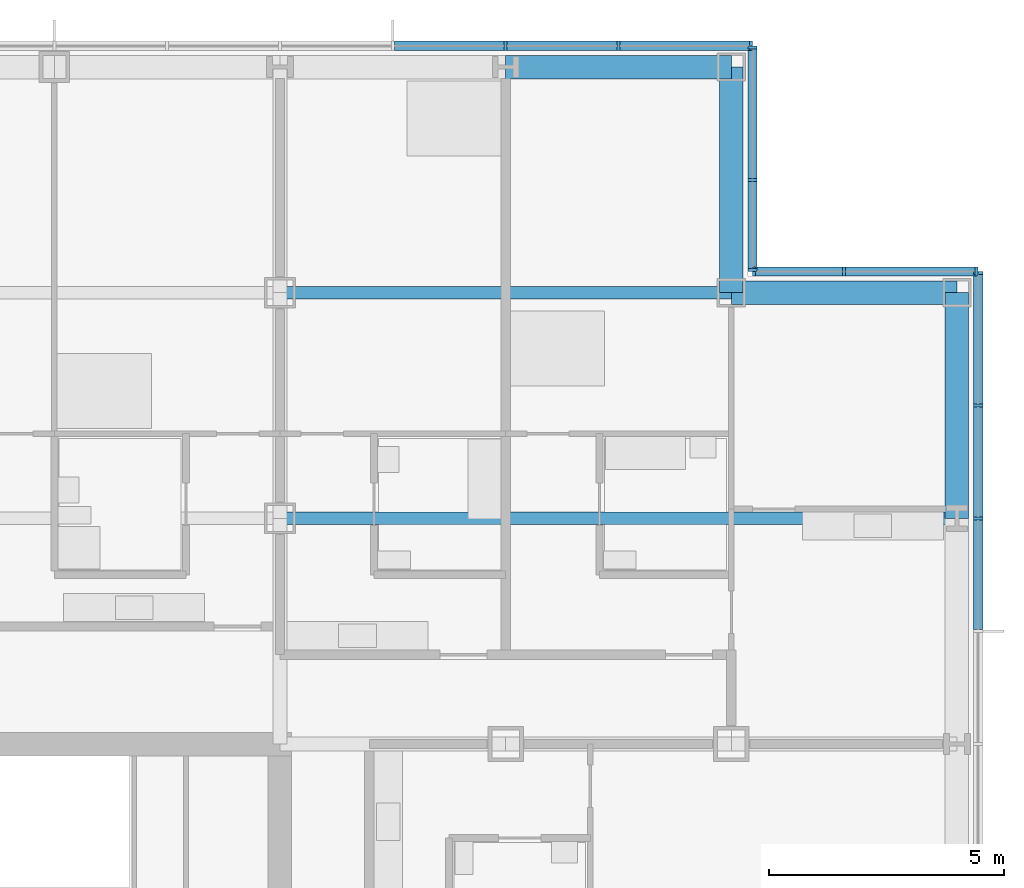
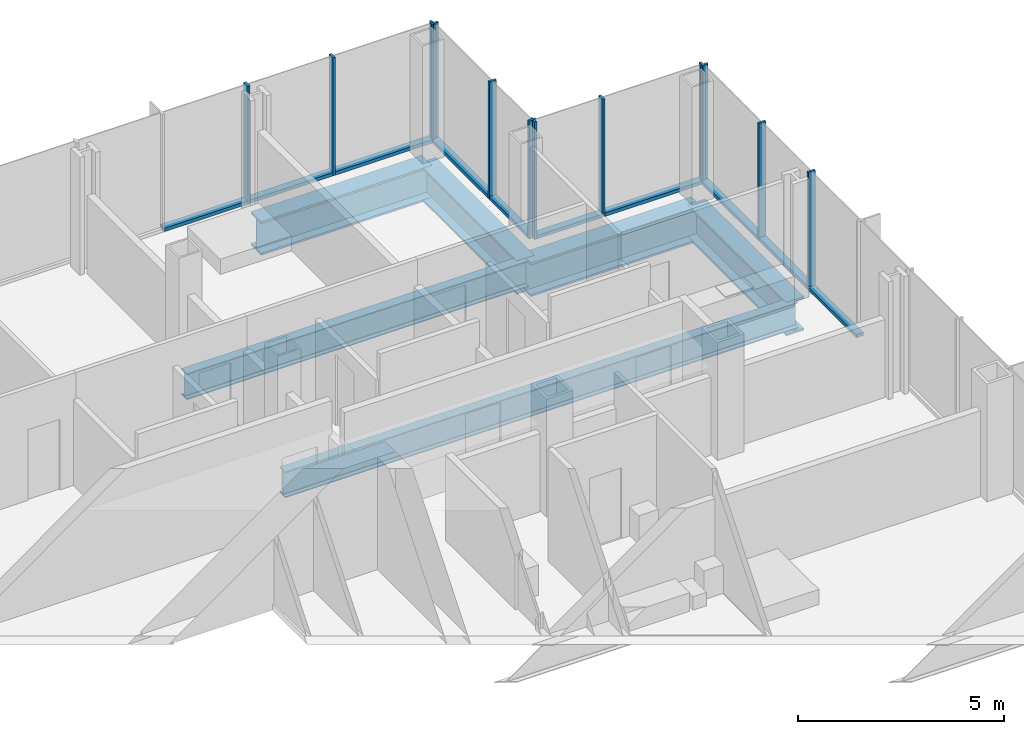
# One storey, part 11 of 21: 22 members, 6 beams, 4 elements without a shape of their own.
"""IFC4 building model written with IfcOpenShell, lengths in metres."""

import ifcopenshell
import ifcopenshell.guid

model = None  # the IFC model being written
_history = None  # IfcOwnerHistory: only IFC2X3 demands one
_inside = {}  # id of a spatial element -> (the spatial element, [elements in it])
_under = {}  # id of a project, library or spatial element -> (it, [spatial elements below it])
_declared = {}  # id of a project -> (the project, [libraries it declares])
_typed = {}  # id of a type object -> (the type object, [elements of that type])
_made_of = {}  # id of a material, layer set ... -> (it, [elements and type objects made of it])


def new_model(schema):
    """Start an empty IFC model of exactly this schema.

    Asked for "IFC4X3", IfcOpenShell would pick the latest addendum, in which some entities
    have other attributes; the version numbers below select the first issue.
    IFC2X3 requires an IfcOwnerHistory on every rooted entity: one is made here for all.
    """
    global model, _history
    if schema == "IFC4X3":
        model = ifcopenshell.file(schema_version=(4, 3, 0, 0))
    else:
        model = ifcopenshell.file(schema=schema)
    _inside.clear()
    _under.clear()
    _declared.clear()
    _typed.clear()
    _made_of.clear()
    _history = None
    if model.schema == "IFC2X3":
        org = make("IfcOrganization", Name="unknown")
        user = make(
            "IfcPersonAndOrganization",
            ThePerson=make("IfcPerson", FamilyName="unknown"),
            TheOrganization=org,
        )
        app = make(
            "IfcApplication",
            ApplicationDeveloper=org,
            Version="unknown",
            ApplicationFullName="unknown",
            ApplicationIdentifier="unknown",
        )
        _history = make(
            "IfcOwnerHistory",
            OwningUser=user,
            OwningApplication=app,
            ChangeAction="ADDED",
            CreationDate=0,
        )
    return model


def make(cls, **values):
    """One entity of the class cls with the attributes given. An attribute that is None is left unset."""
    return model.create_entity(
        cls, **{name: value for name, value in values.items() if value is not None}
    )


def rooted(cls, **values):
    """An entity with a GlobalId (a new one), such as an element, a storey or a relation."""
    return make(cls, GlobalId=ifcopenshell.guid.new(), OwnerHistory=_history, **values)


def si_unit(unit_type, name, prefix=None):
    """IfcSIUnit, for example si_unit("LENGTHUNIT", "METRE", prefix="MILLI")."""
    return make("IfcSIUnit", UnitType=unit_type, Prefix=prefix, Name=name)


def assignment(units):
    """IfcUnitAssignment: the units of a project."""
    return None if units is None else make("IfcUnitAssignment", Units=units)


def point(xyz):
    """IfcCartesianPoint."""
    return None if xyz is None else make("IfcCartesianPoint", Coordinates=xyz)


def direction(xyz):
    """IfcDirection."""
    return None if xyz is None else make("IfcDirection", DirectionRatios=xyz)


def frame(location, z_axis=None, x_axis=None):
    """IfcAxis2Placement3D, a coordinate frame: its origin and axes. An axis left out is left unset."""
    return make(
        "IfcAxis2Placement3D",
        Location=point(location),
        Axis=direction(z_axis),
        RefDirection=direction(x_axis),
    )


def frame_2d(location, x_axis=None):
    """IfcAxis2Placement2D, a coordinate frame in the plane: its origin and x axis."""
    return make(
        "IfcAxis2Placement2D", Location=point(location), RefDirection=direction(x_axis)
    )


def origin():
    """The frame at (0, 0, 0) with its axes left unset."""
    return frame((0.0, 0.0, 0.0))


def origin_2d():
    """The frame at (0, 0) in the plane with its x axis left unset."""
    return frame_2d((0.0, 0.0))


def place(relative_to, where):
    """IfcLocalPlacement: puts the frame where relative to a parent placement (None: the world)."""
    return make(
        "IfcLocalPlacement", PlacementRelTo=relative_to, RelativePlacement=where
    )


def context(
    kind, dimensions, precision=None, world=None, true_north=None, identifier=None
):
    """IfcGeometricRepresentationContext, for example the 3D "Model" context."""
    return make(
        "IfcGeometricRepresentationContext",
        ContextIdentifier=identifier,
        ContextType=kind,
        CoordinateSpaceDimension=dimensions,
        Precision=precision,
        WorldCoordinateSystem=world,
        TrueNorth=true_north,
    )


def subcontext(parent, identifier, kind, view, scale=None):
    """IfcGeometricRepresentationSubContext, for example "Body" below "Model"."""
    return make(
        "IfcGeometricRepresentationSubContext",
        ContextIdentifier=identifier,
        ContextType=kind,
        ParentContext=parent,
        TargetScale=scale,
        TargetView=view,
    )


def project(units=None, contexts=None):
    """IfcProject with its units and contexts."""
    return rooted(
        "IfcProject",
        Name="project",
        RepresentationContexts=contexts,
        UnitsInContext=assignment(units),
    )


def spatial(cls, under=None, at=None, **own):
    """A site, building, storey or space (cls), placed at a placement, below another one or the project."""
    s = rooted(cls, ObjectPlacement=at, **own)
    if under is not None:
        _under.setdefault(under.id(), (under, []))[1].append(s)
    return s


def profile(cls, at=None, kind="AREA", **sizes):
    """A parametric profile (cls). Its sizes go by their IFC names, for example OverallWidth=200.0."""
    return make(cls, ProfileType=kind, Position=at, **sizes)


def rectangle(**sizes):
    """IfcRectangleProfileDef."""
    return profile("IfcRectangleProfileDef", **sizes)


def i_section(**sizes):
    """IfcIShapeProfileDef."""
    return profile("IfcIShapeProfileDef", **sizes)


def extrude(swept, where, along, depth):
    """IfcExtrudedAreaSolid: the profile swept, set in the frame where, extruded along a direction by depth."""
    return make(
        "IfcExtrudedAreaSolid",
        SweptArea=swept,
        Position=where,
        ExtrudedDirection=direction(along),
        Depth=depth,
    )


def shape(context_of_items, identifier, shape_type, items):
    """IfcShapeRepresentation: the items that make up one representation, for example the "Body"."""
    return make(
        "IfcShapeRepresentation",
        ContextOfItems=context_of_items,
        RepresentationIdentifier=identifier,
        RepresentationType=shape_type,
        Items=items,
    )


def material(Name=None, Category=None):
    """IfcMaterial."""
    return make("IfcMaterial", Name=Name, Category=Category)


def material_profile(
    of_material, cross_section, Name=None, Category=None, Priority=None
):
    """IfcMaterialProfile: a cross section and its material."""
    return make(
        "IfcMaterialProfile",
        Name=Name,
        Material=of_material,
        Profile=cross_section,
        Priority=Priority,
        Category=Category,
    )


def profile_set(profiles, Name=None, composite=None):
    """IfcMaterialProfileSet."""
    return make(
        "IfcMaterialProfileSet",
        Name=Name,
        MaterialProfiles=profiles,
        CompositeProfile=composite,
    )


def made_of(thing, what):
    """Note that an element or type object is made of a material, layer set ...; save() writes the relation."""
    if what is not None:
        _made_of.setdefault(what.id(), (what, []))[1].append(thing)
    return thing


def type_object(cls, material=None, **own):
    """A type object (cls), such as IfcWallType, which elements share."""
    return made_of(rooted(cls, **own), material)


def element(
    cls,
    number,
    at=None,
    inside=None,
    cuts=None,
    type_object=None,
    material=None,
    context=None,
    identifier="Body",
    shape_type=None,
    held_by="IfcProductDefinitionShape",
    body=None,
    shapes=None,
    **own,
):
    """One element of the class cls, such as IfcWall. Its Tag is "e" and its number.

    at: its placement. inside: the storey or other place that contains it. cuts: it is an
    opening in that element (IfcRelVoidsElement). A single representation is given by context,
    identifier, shape_type and body (its items); several are given by shapes. held_by: the class
    of the entity that holds the representations. save() writes the other relations.
    """
    e = rooted(cls, Tag="e%d" % number, ObjectPlacement=at, **own)
    if body is not None:
        shapes = [shape(context, identifier, shape_type, body)]
    if shapes is not None:
        e.Representation = make(held_by, Representations=shapes)
    if inside is not None:
        _inside.setdefault(inside.id(), (inside, []))[1].append(e)
    if cuts is not None:
        rooted(
            "IfcRelVoidsElement", RelatingBuildingElement=cuts, RelatedOpeningElement=e
        )
    if type_object is not None:
        _typed.setdefault(type_object.id(), (type_object, []))[1].append(e)
    return made_of(e, material)


def aggregate(whole, parts):
    """IfcRelAggregates: a whole, such as a stair, and the parts it consists of."""
    return rooted("IfcRelAggregates", RelatingObject=whole, RelatedObjects=parts)


def save(model, path):
    """Write the relations noted so far, then the file.

    IfcRelAggregates (storeys below a building ...), IfcRelContainedInSpatialStructure (elements
    in a storey), IfcRelDefinesByType, IfcRelAssociatesMaterial and IfcRelDeclares: one each for
    every whole, place, type object, material and project.
    """
    for whole, parts in _under.values():
        aggregate(whole, parts)
    for where, things in _inside.values():
        rooted(
            "IfcRelContainedInSpatialStructure",
            RelatedElements=things,
            RelatingStructure=where,
        )
    for kind, things in _typed.values():
        rooted("IfcRelDefinesByType", RelatedObjects=things, RelatingType=kind)
    for what, things in _made_of.values():
        rooted("IfcRelAssociatesMaterial", RelatedObjects=things, RelatingMaterial=what)
    for by, libraries in _declared.values():
        rooted("IfcRelDeclares", RelatingContext=by, RelatedDefinitions=libraries)
    model.write(path)


model = new_model("IFC4")

# Units and contexts
model_context = context("Model", 3, precision=1e-05, world=origin(), true_north=direction((0.0, 1.0)))
body_context = subcontext(model_context, "Body", "Model", "MODEL_VIEW")
ifc_project = project(units=[si_unit("LENGTHUNIT", "METRE"), si_unit("AREAUNIT", "SQUARE_METRE"), si_unit("VOLUMEUNIT", "CUBIC_METRE"), si_unit("PLANEANGLEUNIT", "RADIAN"), si_unit("MASSUNIT", "GRAM", prefix="KILO")], contexts=[model_context])

# Site, building, storey
site_placement = place(None, origin())
site = spatial("IfcSite", under=ifc_project, at=site_placement, CompositionType="ELEMENT")
building_placement = place(site_placement, origin())
building = spatial("IfcBuilding", under=site, at=building_placement, Name="Kvirike Care Tower", CompositionType="ELEMENT")
storey_placement = place(building_placement, frame((0.0, 0.0, 44.5)))
storey = spatial("IfcBuildingStorey", under=building, at=storey_placement, Name="L11", CompositionType="ELEMENT", Elevation=44.5)

# Curtain wall, members
ifc_material_1 = material(Name="Anodised aluminium stick system", Category="aluminium")
curtain_wall_type = type_object("IfcCurtainWallType", Name="CW-A STICK CURTAIN WALL", PredefinedType="NOTDEFINED", material=ifc_material_1)
curtain_wall_1_placement = place(storey_placement, origin())
curtain_wall_1 = element("IfcCurtainWall", 1, at=curtain_wall_1_placement, inside=storey, type_object=curtain_wall_type, Name="Curtain wall L11 face 7", PredefinedType="NOTDEFINED")
ifc_material_2 = material(Name="Bronze anodised aluminium mullion", Category="aluminium")
ifc_material_profile_1 = material_profile(ifc_material_2, rectangle(XDim=0.06494140625, YDim=0.199951171875, at=origin_2d()), Name="CW-A MULLION 65x200")
ifc_profile_set_1 = profile_set([ifc_material_profile_1], Name="Bronze anodised aluminium mullion")
member_type_1 = type_object("IfcMemberType", Name="CW-A MULLION 65x200", PredefinedType="MULLION", material=ifc_profile_set_1)
member_1_placement = place(storey_placement, frame((43.64990234375, 48.0, 0.0), z_axis=(0.0, 0.0, 1.0), x_axis=(0.0, 1.0, 0.0)))
member_1 = element("IfcMember", 2, at=member_1_placement, type_object=member_type_1, Name="CW-A mullion L11 face 7.13", PredefinedType="MULLION", context=body_context, shape_type="SweptSolid", body=[
    extrude(rectangle(XDim=0.06494140625, YDim=0.199951171875, at=origin_2d()), origin(), (0.0, 0.0, 1.0), 3.5),
])
member_2_placement = place(storey_placement, frame((43.64990234375, 50.39990234375, 0.0), z_axis=(0.0, 0.0, 1.0), x_axis=(0.0, 1.0, 0.0)))
member_2 = element("IfcMember", 3, at=member_2_placement, type_object=member_type_1, Name="CW-A mullion L11 face 7.14", PredefinedType="MULLION", context=body_context, shape_type="SweptSolid", body=[
    extrude(rectangle(XDim=0.06494140625, YDim=0.199951171875, at=origin_2d()), origin(), (0.0, 0.0, 1.0), 3.5),
])
member_3_placement = place(storey_placement, frame((43.64990234375, 53.217529296875, 0.0), z_axis=(0.0, 0.0, 1.0), x_axis=(0.0, 1.0, 0.0)))
member_3 = element("IfcMember", 4, at=member_3_placement, type_object=member_type_1, Name="CW-A mullion L11 face 7.15", PredefinedType="MULLION", context=body_context, shape_type="SweptSolid", body=[
    extrude(rectangle(XDim=0.06494140625, YDim=0.199951171875, at=origin_2d()), origin(), (0.0, 0.0, 1.0), 3.5),
])

curtain_wall_2_placement = place(storey_placement, origin())
curtain_wall_2 = element("IfcCurtainWall", 5, at=curtain_wall_2_placement, inside=storey, type_object=curtain_wall_type, Name="Curtain wall L11 face 8", PredefinedType="NOTDEFINED")
member_4_placement = place(storey_placement, frame((43.617431640625, 53.25, 0.0), z_axis=(0.0, 0.0, 1.0), x_axis=(-1.0, 0.0, 0.0)))
member_4 = element("IfcMember", 6, at=member_4_placement, type_object=member_type_1, Name="CW-A mullion L11 face 8.1", PredefinedType="MULLION", context=body_context, shape_type="SweptSolid", body=[
    extrude(rectangle(XDim=0.06494140625, YDim=0.199951171875, at=origin_2d()), origin(), (0.0, 0.0, 1.0), 3.5),
])
member_5_placement = place(storey_placement, frame((40.800048828125, 53.25, 0.0), z_axis=(0.0, 0.0, 1.0), x_axis=(-1.0, 0.0, 0.0)))
member_5 = element("IfcMember", 7, at=member_5_placement, type_object=member_type_1, Name="CW-A mullion L11 face 8.2", PredefinedType="MULLION", context=body_context, shape_type="SweptSolid", body=[
    extrude(rectangle(XDim=0.06494140625, YDim=0.199951171875, at=origin_2d()), origin(), (0.0, 0.0, 1.0), 3.5),
])
member_6_placement = place(storey_placement, frame((38.882568359375, 53.25, 0.0), z_axis=(0.0, 0.0, 1.0), x_axis=(-1.0, 0.0, 0.0)))
member_6 = element("IfcMember", 8, at=member_6_placement, type_object=member_type_1, Name="CW-A mullion L11 face 8.3", PredefinedType="MULLION", context=body_context, shape_type="SweptSolid", body=[
    extrude(rectangle(XDim=0.06494140625, YDim=0.199951171875, at=origin_2d()), origin(), (0.0, 0.0, 1.0), 3.5),
])

curtain_wall_3_placement = place(storey_placement, origin())
curtain_wall_3 = element("IfcCurtainWall", 9, at=curtain_wall_3_placement, inside=storey, type_object=curtain_wall_type, Name="Curtain wall L11 face 9", PredefinedType="NOTDEFINED")
member_7_placement = place(storey_placement, frame((38.85009765625, 53.282470703125, 0.0), z_axis=(0.0, 0.0, 1.0), x_axis=(0.0, 1.0, 0.0)))
member_7 = element("IfcMember", 10, at=member_7_placement, type_object=member_type_1, Name="CW-A mullion L11 face 9.1", PredefinedType="MULLION", context=body_context, shape_type="SweptSolid", body=[
    extrude(rectangle(XDim=0.06494140625, YDim=0.199951171875, at=origin_2d()), origin(), (0.0, 0.0, 1.0), 3.5),
])
member_8_placement = place(storey_placement, frame((38.85009765625, 55.199951171875, 0.0), z_axis=(0.0, 0.0, 1.0), x_axis=(0.0, 1.0, 0.0)))
member_8 = element("IfcMember", 11, at=member_8_placement, type_object=member_type_1, Name="CW-A mullion L11 face 9.2", PredefinedType="MULLION", context=body_context, shape_type="SweptSolid", body=[
    extrude(rectangle(XDim=0.06494140625, YDim=0.199951171875, at=origin_2d()), origin(), (0.0, 0.0, 1.0), 3.5),
])
member_9_placement = place(storey_placement, frame((38.85009765625, 58.017578125, 0.0), z_axis=(0.0, 0.0, 1.0), x_axis=(0.0, 1.0, 0.0)))
member_9 = element("IfcMember", 12, at=member_9_placement, type_object=member_type_1, Name="CW-A mullion L11 face 9.3", PredefinedType="MULLION", context=body_context, shape_type="SweptSolid", body=[
    extrude(rectangle(XDim=0.06494140625, YDim=0.199951171875, at=origin_2d()), origin(), (0.0, 0.0, 1.0), 3.5),
])

curtain_wall_4_placement = place(storey_placement, origin())
curtain_wall_4 = element("IfcCurtainWall", 13, at=curtain_wall_4_placement, inside=storey, type_object=curtain_wall_type, Name="Curtain wall L11 face 10", PredefinedType="NOTDEFINED")
member_10_placement = place(storey_placement, frame((38.8173828125, 58.050048828125, 0.0), z_axis=(0.0, 0.0, 1.0), x_axis=(-1.0, 0.0, 0.0)))
member_10 = element("IfcMember", 14, at=member_10_placement, type_object=member_type_1, Name="CW-A mullion L11 face 10.1", PredefinedType="MULLION", context=body_context, shape_type="SweptSolid", body=[
    extrude(rectangle(XDim=0.06494140625, YDim=0.199951171875, at=origin_2d()), origin(), (0.0, 0.0, 1.0), 3.5),
])
member_11_placement = place(storey_placement, frame((36.0, 58.050048828125, 0.0), z_axis=(0.0, 0.0, 1.0), x_axis=(-1.0, 0.0, 0.0)))
member_11 = element("IfcMember", 15, at=member_11_placement, type_object=member_type_1, Name="CW-A mullion L11 face 10.2", PredefinedType="MULLION", context=body_context, shape_type="SweptSolid", body=[
    extrude(rectangle(XDim=0.06494140625, YDim=0.199951171875, at=origin_2d()), origin(), (0.0, 0.0, 1.0), 3.5),
])
member_12_placement = place(storey_placement, frame((33.60009765625, 58.050048828125, 0.0), z_axis=(0.0, 0.0, 1.0), x_axis=(-1.0, 0.0, 0.0)))
member_12 = element("IfcMember", 16, at=member_12_placement, type_object=member_type_1, Name="CW-A mullion L11 face 10.3", PredefinedType="MULLION", context=body_context, shape_type="SweptSolid", body=[
    extrude(rectangle(XDim=0.06494140625, YDim=0.199951171875, at=origin_2d()), origin(), (0.0, 0.0, 1.0), 3.5),
])

# Member
ifc_material_3 = material(Name="Bronze anodised aluminium transom", Category="aluminium")
ifc_material_profile_2 = material_profile(ifc_material_3, rectangle(XDim=0.199951171875, YDim=0.10009765625, at=origin_2d()), Name="CW-A TRANSOM 200x100")
ifc_profile_set_2 = profile_set([ifc_material_profile_2], Name="Bronze anodised aluminium transom")
member_type_2 = type_object("IfcMemberType", Name="CW-A TRANSOM 200x100", PredefinedType="USERDEFINED", material=ifc_profile_set_2)
member_13_placement = place(storey_placement, frame((43.64990234375, 45.632568359375, 0.050048828125), z_axis=(0.0, 1.0, 0.0), x_axis=(-1.0, 0.0, 0.0)))
member_13 = element("IfcMember", 17, at=member_13_placement, type_object=member_type_2, Name="CW-A sill transom L11 face 7.12", ObjectType="TRANSOM", PredefinedType="USERDEFINED", context=body_context, shape_type="SweptSolid", body=[
    extrude(rectangle(XDim=0.199951171875, YDim=0.10009765625, at=origin_2d()), origin(), (0.0, 0.0, 1.0), 2.3349609375),
])

member_14_placement = place(storey_placement, frame((43.64990234375, 48.032470703125, 0.050048828125), z_axis=(0.0, 1.0, 0.0), x_axis=(-1.0, 0.0, 0.0)))
member_14 = element("IfcMember", 18, at=member_14_placement, type_object=member_type_2, Name="CW-A sill transom L11 face 7.13", ObjectType="TRANSOM", PredefinedType="USERDEFINED", context=body_context, shape_type="SweptSolid", body=[
    extrude(rectangle(XDim=0.199951171875, YDim=0.10009765625, at=origin_2d()), origin(), (0.0, 0.0, 1.0), 2.3349609375),
])

member_15_placement = place(storey_placement, frame((43.64990234375, 50.4326171875, 0.050048828125), z_axis=(0.0, 1.0, 0.0), x_axis=(-1.0, 0.0, 0.0)))
member_15 = element("IfcMember", 19, at=member_15_placement, type_object=member_type_2, Name="CW-A sill transom L11 face 7.14", ObjectType="TRANSOM", PredefinedType="USERDEFINED", context=body_context, shape_type="SweptSolid", body=[
    extrude(rectangle(XDim=0.199951171875, YDim=0.10009765625, at=origin_2d()), origin(), (0.0, 0.0, 1.0), 2.75244140625),
])

aggregate(curtain_wall_1, [member_1, member_2, member_3, member_13, member_14, member_15])

member_16_placement = place(storey_placement, frame((43.5849609375, 53.25, 0.050048828125), z_axis=(-1.0, 0.0, 0.0), x_axis=(0.0, -1.0, 0.0)))
member_16 = element("IfcMember", 20, at=member_16_placement, type_object=member_type_2, Name="CW-A sill transom L11 face 8.1", ObjectType="TRANSOM", PredefinedType="USERDEFINED", context=body_context, shape_type="SweptSolid", body=[
    extrude(rectangle(XDim=0.199951171875, YDim=0.10009765625, at=origin_2d()), origin(), (0.0, 0.0, 1.0), 2.75244140625),
])

member_17_placement = place(storey_placement, frame((40.767578125, 53.25, 0.050048828125), z_axis=(-1.0, 0.0, 0.0), x_axis=(0.0, -1.0, 0.0)))
member_17 = element("IfcMember", 21, at=member_17_placement, type_object=member_type_2, Name="CW-A sill transom L11 face 8.2", ObjectType="TRANSOM", PredefinedType="USERDEFINED", context=body_context, shape_type="SweptSolid", body=[
    extrude(rectangle(XDim=0.199951171875, YDim=0.10009765625, at=origin_2d()), origin(), (0.0, 0.0, 1.0), 1.8525390625),
])

aggregate(curtain_wall_2, [member_4, member_5, member_6, member_16, member_17])

member_18_placement = place(storey_placement, frame((38.85009765625, 53.31494140625, 0.050048828125), z_axis=(0.0, 1.0, 0.0), x_axis=(-1.0, 0.0, 0.0)))
member_18 = element("IfcMember", 22, at=member_18_placement, type_object=member_type_2, Name="CW-A sill transom L11 face 9.1", ObjectType="TRANSOM", PredefinedType="USERDEFINED", context=body_context, shape_type="SweptSolid", body=[
    extrude(rectangle(XDim=0.199951171875, YDim=0.10009765625, at=origin_2d()), origin(), (0.0, 0.0, 1.0), 1.8525390625),
])

member_19_placement = place(storey_placement, frame((38.85009765625, 55.232421875, 0.050048828125), z_axis=(0.0, 1.0, 0.0), x_axis=(-1.0, 0.0, 0.0)))
member_19 = element("IfcMember", 23, at=member_19_placement, type_object=member_type_2, Name="CW-A sill transom L11 face 9.2", ObjectType="TRANSOM", PredefinedType="USERDEFINED", context=body_context, shape_type="SweptSolid", body=[
    extrude(rectangle(XDim=0.199951171875, YDim=0.10009765625, at=origin_2d()), origin(), (0.0, 0.0, 1.0), 2.752685546875),
])

aggregate(curtain_wall_3, [member_7, member_8, member_9, member_18, member_19])

member_20_placement = place(storey_placement, frame((38.784912109375, 58.050048828125, 0.050048828125), z_axis=(-1.0, 0.0, 0.0), x_axis=(0.0, -1.0, 0.0)))
member_20 = element("IfcMember", 24, at=member_20_placement, type_object=member_type_2, Name="CW-A sill transom L11 face 10.1", ObjectType="TRANSOM", PredefinedType="USERDEFINED", context=body_context, shape_type="SweptSolid", body=[
    extrude(rectangle(XDim=0.199951171875, YDim=0.10009765625, at=origin_2d()), origin(), (0.0, 0.0, 1.0), 2.75244140625),
])

member_21_placement = place(storey_placement, frame((35.967529296875, 58.050048828125, 0.050048828125), z_axis=(-1.0, 0.0, 0.0), x_axis=(0.0, -1.0, 0.0)))
member_21 = element("IfcMember", 25, at=member_21_placement, type_object=member_type_2, Name="CW-A sill transom L11 face 10.2", ObjectType="TRANSOM", PredefinedType="USERDEFINED", context=body_context, shape_type="SweptSolid", body=[
    extrude(rectangle(XDim=0.199951171875, YDim=0.10009765625, at=origin_2d()), origin(), (0.0, 0.0, 1.0), 2.3349609375),
])

member_22_placement = place(storey_placement, frame((33.5673828125, 58.050048828125, 0.050048828125), z_axis=(-1.0, 0.0, 0.0), x_axis=(0.0, -1.0, 0.0)))
member_22 = element("IfcMember", 26, at=member_22_placement, type_object=member_type_2, Name="CW-A sill transom L11 face 10.3", ObjectType="TRANSOM", PredefinedType="USERDEFINED", context=body_context, shape_type="SweptSolid", body=[
    extrude(rectangle(XDim=0.199951171875, YDim=0.10009765625, at=origin_2d()), origin(), (0.0, 0.0, 1.0), 2.3349609375),
])

aggregate(curtain_wall_4, [member_10, member_11, member_12, member_20, member_21, member_22])

# Beams
ifc_material_4 = material(Name="Steel S355", Category="steel")
ifc_material_profile_3 = material_profile(ifc_material_4, i_section(OverallWidth=0.26806640625, OverallDepth=0.77001953125, WebThickness=0.015625, FlangeThickness=0.025390625, FilletRadius=0.01708984375, at=origin_2d()), Name="IPE 750x196")
ifc_profile_set_3 = profile_set([ifc_material_profile_3], Name="Steel S355")
beam_type_1 = type_object("IfcBeamType", Name="FLOOR BEAM IPE 750x196", PredefinedType="BEAM", material=ifc_profile_set_3)
beam_1_placement = place(storey_placement, frame((28.800048828125, 48.0, -0.554931640625), z_axis=(1.0, 0.0, 0.0), x_axis=(0.0, 1.0, 0.0)))
element("IfcBeam", 27, at=beam_1_placement, inside=storey, type_object=beam_type_1, Name="Floor Beam L9-L12 L11", PredefinedType="BEAM", context=body_context, shape_type="SweptSolid", body=[
    extrude(i_section(OverallWidth=0.26806640625, OverallDepth=0.77001953125, WebThickness=0.015625, FlangeThickness=0.025390625, FilletRadius=0.01708984375, at=origin_2d()), origin(), (0.0, 0.0, 1.0), 14.39990234375),
])
beam_2_placement = place(storey_placement, frame((28.800048828125, 52.800048828125, -0.554931640625), z_axis=(1.0, 0.0, 0.0), x_axis=(0.0, 1.0, 0.0)))
element("IfcBeam", 28, at=beam_2_placement, inside=storey, type_object=beam_type_1, Name="Floor Beam M9-M11 L11", PredefinedType="BEAM", context=body_context, shape_type="SweptSolid", body=[
    extrude(i_section(OverallWidth=0.26806640625, OverallDepth=0.77001953125, WebThickness=0.015625, FlangeThickness=0.025390625, FilletRadius=0.01708984375, at=origin_2d()), origin(), (0.0, 0.0, 1.0), 9.599853515625),
])
ifc_material_5 = material(Name="Steel S355", Category="steel")
ifc_material_profile_4 = material_profile(ifc_material_5, i_section(OverallWidth=0.5, OverallDepth=1.0, WebThickness=0.030029296875, FlangeThickness=0.06005859375, at=origin_2d()), Name="PG 1000x500x30x60")
ifc_profile_set_4 = profile_set([ifc_material_profile_4], Name="Steel S355")
beam_type_2 = type_object("IfcBeamType", Name="SPANDREL PG 1000x500x30x60", PredefinedType="SPANDREL", material=ifc_profile_set_4)
beam_3_placement = place(storey_placement, frame((38.39990234375, 52.800048828125, -0.669921875), z_axis=(1.0, 0.0, 0.0), x_axis=(0.0, 1.0, 0.0)))
element("IfcBeam", 29, at=beam_3_placement, inside=storey, type_object=beam_type_2, Name="Spandrel M11-M12 L11", PredefinedType="SPANDREL", context=body_context, shape_type="SweptSolid", body=[
    extrude(i_section(OverallWidth=0.5, OverallDepth=1.0, WebThickness=0.030029296875, FlangeThickness=0.06005859375, at=origin_2d()), origin(), (0.0, 0.0, 1.0), 4.800048828125),
])
beam_4_placement = place(storey_placement, frame((33.60009765625, 57.60009765625, -0.669921875), z_axis=(1.0, 0.0, 0.0), x_axis=(0.0, 1.0, 0.0)))
element("IfcBeam", 30, at=beam_4_placement, inside=storey, type_object=beam_type_2, Name="Spandrel N10-N11 L11", PredefinedType="SPANDREL", context=body_context, shape_type="SweptSolid", body=[
    extrude(i_section(OverallWidth=0.5, OverallDepth=1.0, WebThickness=0.030029296875, FlangeThickness=0.06005859375, at=origin_2d()), origin(), (0.0, 0.0, 1.0), 4.7998046875),
])
for number, where, z_axis, x_axis, name in (
    (31, (38.39990234375, 52.800048828125, -0.669921875), (0.0, 1.0, 0.0), (-1.0, 0.0, 0.0), "Spandrel M11-N11 L11"),
    (32, (43.199951171875, 48.0, -0.669921875), (0.0, 1.0, 0.0), (-1.0, 0.0, 0.0), "Spandrel L12-M12 L11"),
):
    element("IfcBeam", number, at=place(storey_placement, frame(where, z_axis=z_axis, x_axis=x_axis)), inside=storey, type_object=beam_type_2, Name=name, PredefinedType="SPANDREL", context=body_context, shape_type="SweptSolid", body=[
        extrude(i_section(OverallWidth=0.5, OverallDepth=1.0, WebThickness=0.030029296875, FlangeThickness=0.06005859375, at=origin_2d()), origin(), (0.0, 0.0, 1.0), 4.800048828125),
    ])

save(model, "model.ifc")
